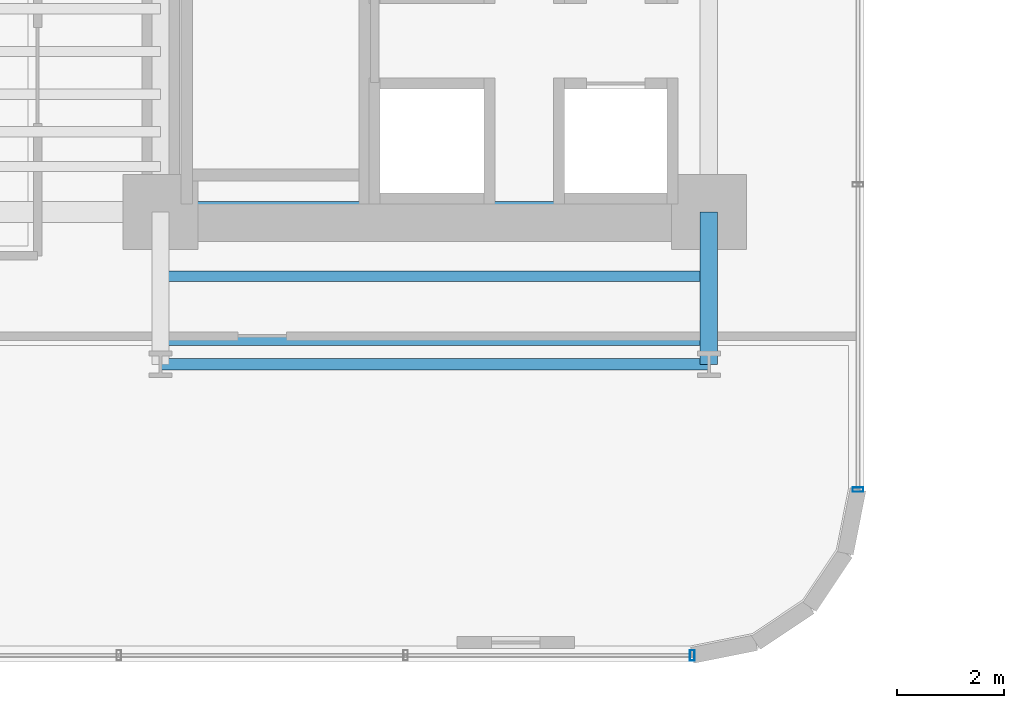
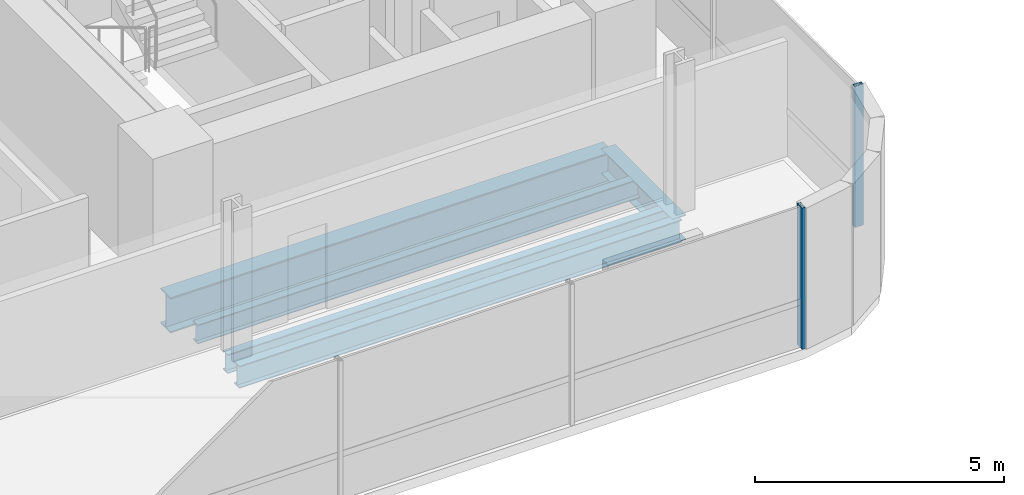
# One storey, part 5 of 39: 5 beams, 2 members, 2 elements without a shape of their own.
"""IFC4 building model written with IfcOpenShell, lengths in metres."""

from ifc_helpers import new_model, si_unit, direction, frame, origin, origin_2d, place, context, subcontext, project, spatial, hollow_rectangle, i_section, extrude, source, transform, mapped, material, material_profile, profile_set, type_object, element, aggregate, save


model = new_model("IFC4")

# Units and contexts
model_context = context("Model", 3, precision=1e-05, world=origin(), true_north=direction((0.0, 1.0)))
body_context = subcontext(model_context, "Body", "Model", "MODEL_VIEW")
ifc_project = project(units=[si_unit("LENGTHUNIT", "METRE"), si_unit("AREAUNIT", "SQUARE_METRE"), si_unit("VOLUMEUNIT", "CUBIC_METRE"), si_unit("PLANEANGLEUNIT", "RADIAN"), si_unit("MASSUNIT", "GRAM", prefix="KILO")], contexts=[model_context])

# Site, building, storey
site_placement = place(None, origin())
site = spatial("IfcSite", under=ifc_project, at=site_placement, CompositionType="ELEMENT")
building_placement = place(site_placement, origin())
building = spatial("IfcBuilding", under=site, at=building_placement, Name="Valdorenza Pilgrim Sanctuary Tower", CompositionType="ELEMENT")
storey_placement = place(building_placement, frame((0.0, 0.0, 74.10009765625)))
storey = spatial("IfcBuildingStorey", under=building, at=storey_placement, Name="L18", CompositionType="ELEMENT", Elevation=74.10009765625)

# Beams
ifc_material_1 = material(Name="Steel ASTM A992 Grade 50", Category="steel")
ifc_material_profile_1 = material_profile(ifc_material_1, i_section(OverallWidth=0.214111328125, OverallDepth=0.549072265625, WebThickness=0.0146484375, FlangeThickness=0.023681640625, at=origin_2d()), Name="W21X93")
ifc_profile_set_1 = profile_set([ifc_material_profile_1], Name="Steel ASTM A992 Grade 50")
beam_type_1 = type_object("IfcBeamType", Name="STR-BM-SPN-W21A", PredefinedType="SPANDREL", material=ifc_profile_set_1)
shared_shape_1 = source(origin(), body_context, "Body", "SweptSolid", [
    extrude(i_section(OverallWidth=0.214111328125, OverallDepth=0.549072265625, WebThickness=0.0146484375, FlangeThickness=0.023681640625, at=origin_2d()), origin(), (0.0, 0.0, 1.0), 10.25),
])
beam_1_placement = place(storey_placement, frame((-22.64990234375, -13.449951171875, -0.5146484375), z_axis=(1.0, 0.0, 0.0), x_axis=(0.0, 1.0, 0.0)))
element("IfcBeam", 1, at=beam_1_placement, inside=storey, type_object=beam_type_1, Name="L18 South Spandrel WA-S-TIE", PredefinedType="SPANDREL", context=body_context, shape_type="MappedRepresentation", body=[
    mapped(shared_shape_1, transform((0.0, 0.0, 0.0), x_axis=(1.0, 0.0, 0.0), y_axis=(0.0, 1.0, 0.0), z_axis=(0.0, 0.0, 1.0), scale=1.0)),
])
ifc_material_profile_2 = material_profile(ifc_material_1, i_section(OverallWidth=0.323974609375, OverallDepth=0.611083984375, WebThickness=0.0126953125, FlangeThickness=0.01904296875, at=origin_2d()), Name="W24X104")
ifc_profile_set_2 = profile_set([ifc_material_profile_2], Name="Steel ASTM A992 Grade 50")
beam_type_2 = type_object("IfcBeamType", Name="STR-BM-GRD-W24B", PredefinedType="BEAM", material=ifc_profile_set_2)
shared_shape_2 = source(origin(), body_context, "Body", "SweptSolid", [
    extrude(i_section(OverallWidth=0.323974609375, OverallDepth=0.611083984375, WebThickness=0.0126953125, FlangeThickness=0.01904296875, at=origin_2d()), origin(), (0.0, 0.0, 1.0), 2.849853515625),
])
beam_2_placement = place(storey_placement, frame((-12.39990234375, -13.449951171875, -0.545654296875), z_axis=(0.0, 1.0, 0.0), x_axis=(-1.0, 0.0, 0.0)))
element("IfcBeam", 2, at=beam_2_placement, inside=storey, type_object=beam_type_2, Name="L18 Floor Girder WA-S-LE", PredefinedType="BEAM", context=body_context, shape_type="MappedRepresentation", body=[
    mapped(shared_shape_2, transform((0.0, 0.0, 0.0), x_axis=(1.0, 0.0, 0.0), y_axis=(0.0, 1.0, 0.0), z_axis=(0.0, 0.0, 1.0), scale=1.0)),
])
ifc_material_profile_3 = material_profile(ifc_material_1, i_section(OverallWidth=0.193115234375, OverallDepth=0.466064453125, WebThickness=0.011474609375, FlangeThickness=0.01904296875, at=origin_2d()), Name="W18X65")
ifc_profile_set_3 = profile_set([ifc_material_profile_3], Name="Steel ASTM A992 Grade 50")
beam_type_3 = type_object("IfcBeamType", Name="STR-BM-JST-W18A", PredefinedType="JOIST", material=ifc_profile_set_3)
shared_shape_3 = source(origin(), body_context, "Body", "SweptSolid", [
    extrude(i_section(OverallWidth=0.193115234375, OverallDepth=0.466064453125, WebThickness=0.011474609375, FlangeThickness=0.01904296875, at=origin_2d()), origin(), (0.0, 0.0, 1.0), 10.25),
])
for number, where, z_axis, x_axis, name in (
    (3, (-22.64990234375, -13.0, -0.47314453125), (1.0, 0.0, 0.0), (0.0, 1.0, 0.0), "L18 Composite Floor Joist JST-WAS-1"),
    (4, (-22.64990234375, -11.800048828125, -0.47314453125), (1.0, 0.0, 0.0), (0.0, 1.0, 0.0), "L18 Composite Floor Joist JST-WAS-2"),
):
    element("IfcBeam", number, at=place(storey_placement, frame(where, z_axis=z_axis, x_axis=x_axis)), inside=storey, type_object=beam_type_3, Name=name, PredefinedType="JOIST", context=body_context, shape_type="MappedRepresentation", body=[
        mapped(shared_shape_3, transform((0.0, 0.0, 0.0), x_axis=(1.0, 0.0, 0.0), y_axis=(0.0, 1.0, 0.0), z_axis=(0.0, 0.0, 1.0), scale=1.0)),
    ])
ifc_material_profile_4 = material_profile(ifc_material_1, i_section(OverallWidth=0.39990234375, OverallDepth=0.862060546875, WebThickness=0.019775390625, FlangeThickness=0.032470703125, at=origin_2d()), Name="W33X221")
ifc_profile_set_4 = profile_set([ifc_material_profile_4], Name="Steel ASTM A992 Grade 50")
beam_type_4 = type_object("IfcBeamType", Name="STR-BM-GRD-W33", PredefinedType="BEAM", material=ifc_profile_set_4)
shared_shape_4 = source(origin(), body_context, "Body", "SweptSolid", [
    extrude(i_section(OverallWidth=0.39990234375, OverallDepth=0.862060546875, WebThickness=0.019775390625, FlangeThickness=0.032470703125, at=origin_2d()), origin(), (0.0, 0.0, 1.0), 10.25),
])
beam_3_placement = place(storey_placement, frame((-22.64990234375, -10.60009765625, -0.671142578125), z_axis=(1.0, 0.0, 0.0), x_axis=(0.0, 1.0, 0.0)))
element("IfcBeam", 5, at=beam_3_placement, inside=storey, type_object=beam_type_4, Name="L18 Floor Girder CA-XC-S1", PredefinedType="BEAM", context=body_context, shape_type="MappedRepresentation", body=[
    mapped(shared_shape_4, transform((0.0, 0.0, 0.0), x_axis=(1.0, 0.0, 0.0), y_axis=(0.0, 1.0, 0.0), z_axis=(0.0, 0.0, 1.0), scale=1.0)),
])

# Curtain wall, member
ifc_material_2 = material(Name="Curtain-wall IGU glazing", Category="glass")
curtain_wall_type = type_object("IfcCurtainWallType", Name="CW-SYS-02", PredefinedType="NOTDEFINED", material=ifc_material_2)
curtain_wall_1_placement = place(storey_placement, origin())
curtain_wall_1 = element("IfcCurtainWall", 6, at=curtain_wall_1_placement, inside=storey, type_object=curtain_wall_type, Name="L18 Curtain Wall CW-L18-1-41", PredefinedType="NOTDEFINED")
ifc_material_3 = material(Name="Anodised aluminium AW-6060", Category="aluminium")
ifc_material_profile_5 = material_profile(ifc_material_3, hollow_rectangle(XDim=0.0849609375, YDim=0.199951171875, WallThickness=0.0048828125, at=origin_2d()), Name="ALU-M 200x85x5")
ifc_profile_set_5 = profile_set([ifc_material_profile_5], Name="Anodised aluminium AW-6060")
member_type = type_object("IfcMemberType", Name="CW-MUL-02", PredefinedType="MULLION", material=ifc_profile_set_5)
shared_shape_5 = source(origin(), body_context, "Body", "SweptSolid", [
    extrude(hollow_rectangle(XDim=0.0849609375, YDim=0.199951171875, WallThickness=0.0048828125, at=origin_2d()), origin(), (0.0, 0.0, 1.0), 3.4599609375),
])
member_1_placement = place(storey_placement, frame((-9.610107421875, -15.789306640625, 0.0), z_axis=(0.0, 0.0, 1.0), x_axis=(0.0, -1.0, 0.0)))
member_1 = element("IfcMember", 7, at=member_1_placement, type_object=member_type, Name="CW-L18-1-41 Mullion 5", PredefinedType="MULLION", context=body_context, shape_type="MappedRepresentation", body=[
    mapped(shared_shape_5, transform((0.0, 0.0, 0.0), x_axis=(1.0, 0.0, 0.0), y_axis=(0.0, 1.0, 0.0), z_axis=(0.0, 0.0, 1.0), scale=1.0)),
])
aggregate(curtain_wall_1, [member_1])

curtain_wall_2_placement = place(storey_placement, origin())
curtain_wall_2 = element("IfcCurtainWall", 8, at=curtain_wall_2_placement, inside=storey, type_object=curtain_wall_type, Name="L18 Curtain Wall CW-L18-1-46", PredefinedType="NOTDEFINED")
member_2_placement = place(storey_placement, frame((-12.710693359375, -18.889892578125, 0.0), z_axis=(0.0, 0.0, 1.0), x_axis=(-1.0, 0.0, 0.0)))
member_2 = element("IfcMember", 9, at=member_2_placement, type_object=member_type, Name="CW-L18-1-46 Mullion 1", PredefinedType="MULLION", context=body_context, shape_type="MappedRepresentation", body=[
    mapped(shared_shape_5, transform((0.0, 0.0, 0.0), x_axis=(1.0, 0.0, 0.0), y_axis=(0.0, 1.0, 0.0), z_axis=(0.0, 0.0, 1.0), scale=1.0)),
])
aggregate(curtain_wall_2, [member_2])

save(model, "model.ifc")
